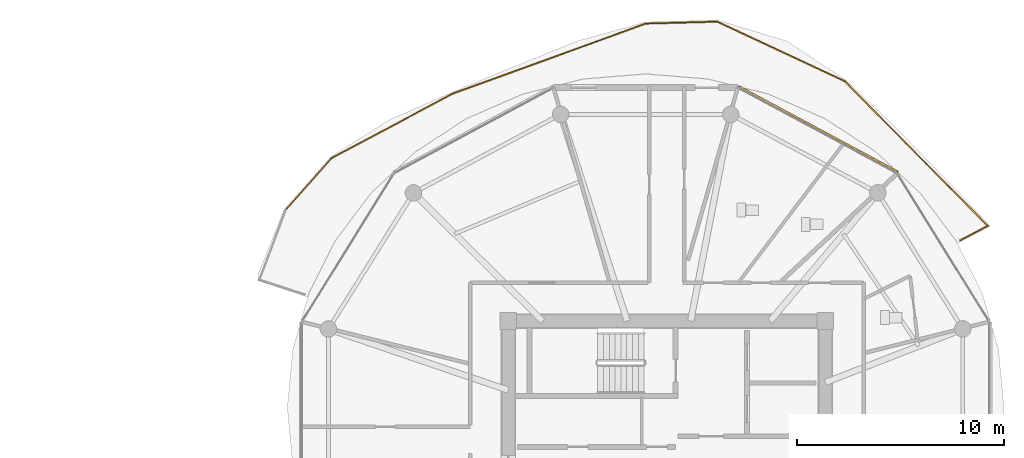
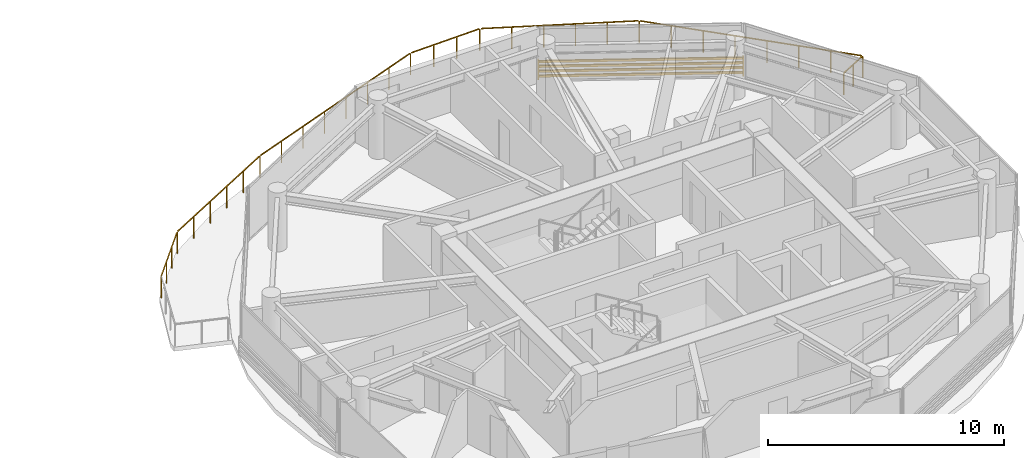
# One storey, part 22 of 23: 1 railing, 1 shading device.
"""IFC4 building model written with IfcOpenShell, lengths in metres."""

from ifc_helpers import new_model, si_unit, direction, frame, origin, origin_2d, place, context, subcontext, project, spatial, rectangle, extrude, source, transform, mapped, material, type_object, type_shapes, element, save


model = new_model("IFC4")

# Units and contexts
model_context = context("Model", 3, precision=1e-05, world=origin(), true_north=direction((0.0, 1.0)))
body_context = subcontext(model_context, "Body", "Model", "MODEL_VIEW")
ifc_project = project(units=[si_unit("LENGTHUNIT", "METRE"), si_unit("AREAUNIT", "SQUARE_METRE"), si_unit("VOLUMEUNIT", "CUBIC_METRE"), si_unit("PLANEANGLEUNIT", "RADIAN"), si_unit("MASSUNIT", "GRAM", prefix="KILO")], contexts=[model_context])

# Site, building, storey
site_placement = place(None, origin())
site = spatial("IfcSite", under=ifc_project, at=site_placement, CompositionType="ELEMENT")
building_placement = place(site_placement, origin())
building = spatial("IfcBuilding", under=site, at=building_placement, Name="Norrkilde Senior Care Towers", CompositionType="ELEMENT")
storey_placement = place(building_placement, frame((0.0, 0.0, 177.0)))
storey = spatial("IfcBuildingStorey", under=building, at=storey_placement, Name="L55", CompositionType="ELEMENT", Elevation=177.0)

# Railing
ifc_material_1 = material(Name="Anodised Aluminium", Category="aluminium")
railing_type = type_object("IfcRailingType", Name="Balcony Swirl Ribbon Guardrail 1150", PredefinedType="GUARDRAIL", material=ifc_material_1)
railing_placement = place(storey_placement, frame((9.597412109375, 11.3115234375, 0.0)))
element("IfcRailing", 1, at=railing_placement, inside=storey, type_object=railing_type, Name="L55 Perimeter Safety Guard 01", PredefinedType="GUARDRAIL", context=body_context, shape_type="SweptSolid", body=[
    extrude(rectangle(XDim=0.048095703125, YDim=0.048095703125, at=origin_2d()), frame((0.0, 0.0, 1.1259765625), z_axis=(0.664372872064, 0.747401289044, 0.0), x_axis=(-0.747401289044, 0.664372872064, 0.0)), (0.0, 0.0, 1.0), 3.314208984375),
    extrude(rectangle(XDim=0.048095703125, YDim=0.048095703125, at=origin_2d()), frame((2.26513671875, 2.52685546875, 1.1259765625), z_axis=(0.882928369987, 0.469507713964, 0.0), x_axis=(-0.469507713964, 0.882928369987, 0.0)), (0.0, 0.0, 1.0), 6.53466796875),
    extrude(rectangle(XDim=0.048095703125, YDim=0.048095703125, at=origin_2d()), frame((8.109130859375, 5.6279296875, 1.1259765625), z_axis=(0.939990996675, 0.341199247025, 0.0), x_axis=(-0.341199247025, 0.939990996675, 0.0)), (0.0, 0.0, 1.0), 9.83203125),
    extrude(rectangle(XDim=0.048095703125, YDim=0.048095703125, at=origin_2d()), frame((17.430419921875, 8.99755859375, 1.1259765625), z_axis=(0.999640321751, 0.026818410274, 0.0), x_axis=(-0.026818410274, 0.999640321751, 0.0)), (0.0, 0.0, 1.0), 3.368408203125),
    extrude(rectangle(XDim=0.048095703125, YDim=0.048095703125, at=origin_2d()), frame((20.875732421875, 9.07177734375, 1.1259765625), z_axis=(0.905859217676, -0.423578892003, 0.0), x_axis=(0.423578892003, 0.905859217676, 0.0)), (0.0, 0.0, 1.0), 6.70166015625),
    extrude(rectangle(XDim=0.048095703125, YDim=0.048095703125, at=origin_2d()), frame((27.01220703125, 6.186767578125, 1.1259765625), z_axis=(0.703154710407, -0.711036885986, 0.0), x_axis=(0.711036885986, 0.703154710407, 0.0)), (0.0, 0.0, 1.0), 9.73681640625),
    extrude(rectangle(XDim=0.048095703125, YDim=0.048095703125, at=origin_2d()), frame((33.851318359375, -0.78466796875, 1.1259765625), z_axis=(-0.885114705469, -0.465372923753, 0.0), x_axis=(0.465372923753, -0.885114705469, 0.0)), (0.0, 0.0, 1.0), 1.468017578125),
    extrude(rectangle(XDim=0.0419921875, YDim=0.0419921875, at=origin_2d()), origin(), (0.0, 0.0, 1.0), 1.099853515625),
    extrude(rectangle(XDim=0.0419921875, YDim=0.0419921875, at=origin_2d()), frame((0.742919921875, 0.8359375, 0.0)), (0.0, 0.0, 1.0), 1.099853515625),
    extrude(rectangle(XDim=0.0419921875, YDim=0.0419921875, at=origin_2d()), frame((1.486083984375, 1.671630859375, 0.0)), (0.0, 0.0, 1.0), 1.099853515625),
    extrude(rectangle(XDim=0.0419921875, YDim=0.0419921875, at=origin_2d()), frame((2.22900390625, 2.507568359375, 0.0)), (0.0, 0.0, 1.0), 1.099853515625),
    extrude(rectangle(XDim=0.0419921875, YDim=0.0419921875, at=origin_2d()), frame((3.3974609375, 3.12890625, 0.0)), (0.0, 0.0, 1.0), 1.099853515625),
    extrude(rectangle(XDim=0.0419921875, YDim=0.0419921875, at=origin_2d()), frame((4.565673828125, 3.750244140625, 0.0)), (0.0, 0.0, 1.0), 1.099853515625),
    extrude(rectangle(XDim=0.0419921875, YDim=0.0419921875, at=origin_2d()), frame((5.734130859375, 4.371337890625, 0.0)), (0.0, 0.0, 1.0), 1.099853515625),
    extrude(rectangle(XDim=0.0419921875, YDim=0.0419921875, at=origin_2d()), frame((6.90234375, 4.99267578125, 0.0)), (0.0, 0.0, 1.0), 1.099853515625),
    extrude(rectangle(XDim=0.0419921875, YDim=0.0419921875, at=origin_2d()), frame((8.07080078125, 5.614013671875, 0.0)), (0.0, 0.0, 1.0), 1.099853515625),
    extrude(rectangle(XDim=0.0419921875, YDim=0.0419921875, at=origin_2d()), frame((9.402099609375, 6.09716796875, 0.0)), (0.0, 0.0, 1.0), 1.099853515625),
    extrude(rectangle(XDim=0.0419921875, YDim=0.0419921875, at=origin_2d()), frame((10.7333984375, 6.58056640625, 0.0)), (0.0, 0.0, 1.0), 1.099853515625),
    extrude(rectangle(XDim=0.0419921875, YDim=0.0419921875, at=origin_2d()), frame((12.064697265625, 7.063720703125, 0.0)), (0.0, 0.0, 1.0), 1.099853515625),
    extrude(rectangle(XDim=0.0419921875, YDim=0.0419921875, at=origin_2d()), frame((13.395751953125, 7.546875, 0.0)), (0.0, 0.0, 1.0), 1.099853515625),
    extrude(rectangle(XDim=0.0419921875, YDim=0.0419921875, at=origin_2d()), frame((14.72705078125, 8.030029296875, 0.0)), (0.0, 0.0, 1.0), 1.099853515625),
    extrude(rectangle(XDim=0.0419921875, YDim=0.0419921875, at=origin_2d()), frame((16.058349609375, 8.513427734375, 0.0)), (0.0, 0.0, 1.0), 1.099853515625),
    extrude(rectangle(XDim=0.0419921875, YDim=0.0419921875, at=origin_2d()), frame((17.3896484375, 8.99658203125, 0.0)), (0.0, 0.0, 1.0), 1.099853515625),
    extrude(rectangle(XDim=0.0419921875, YDim=0.0419921875, at=origin_2d()), frame((18.539306640625, 9.02734375, 0.0)), (0.0, 0.0, 1.0), 1.099853515625),
    extrude(rectangle(XDim=0.0419921875, YDim=0.0419921875, at=origin_2d()), frame((19.68896484375, 9.058349609375, 0.0)), (0.0, 0.0, 1.0), 1.099853515625),
    extrude(rectangle(XDim=0.0419921875, YDim=0.0419921875, at=origin_2d()), frame((20.838623046875, 9.089111328125, 0.0)), (0.0, 0.0, 1.0), 1.099853515625),
    extrude(rectangle(XDim=0.0419921875, YDim=0.0419921875, at=origin_2d()), frame((22.067626953125, 8.514404296875, 0.0)), (0.0, 0.0, 1.0), 1.099853515625),
    extrude(rectangle(XDim=0.0419921875, YDim=0.0419921875, at=origin_2d()), frame((23.296630859375, 7.939697265625, 0.0)), (0.0, 0.0, 1.0), 1.099853515625),
    extrude(rectangle(XDim=0.0419921875, YDim=0.0419921875, at=origin_2d()), frame((24.525390625, 7.365234375, 0.0)), (0.0, 0.0, 1.0), 1.099853515625),
    extrude(rectangle(XDim=0.0419921875, YDim=0.0419921875, at=origin_2d()), frame((25.75439453125, 6.79052734375, 0.0)), (0.0, 0.0, 1.0), 1.099853515625),
    extrude(rectangle(XDim=0.0419921875, YDim=0.0419921875, at=origin_2d()), frame((26.9833984375, 6.2158203125, 0.0)), (0.0, 0.0, 1.0), 1.099853515625),
    extrude(rectangle(XDim=0.0419921875, YDim=0.0419921875, at=origin_2d()), frame((27.9697265625, 5.218505859375, 0.0)), (0.0, 0.0, 1.0), 1.099853515625),
    extrude(rectangle(XDim=0.0419921875, YDim=0.0419921875, at=origin_2d()), frame((28.9560546875, 4.22119140625, 0.0)), (0.0, 0.0, 1.0), 1.099853515625),
    extrude(rectangle(XDim=0.0419921875, YDim=0.0419921875, at=origin_2d()), frame((29.9423828125, 3.223876953125, 0.0)), (0.0, 0.0, 1.0), 1.099853515625),
    extrude(rectangle(XDim=0.0419921875, YDim=0.0419921875, at=origin_2d()), frame((30.928466796875, 2.226318359375, 0.0)), (0.0, 0.0, 1.0), 1.099853515625),
    extrude(rectangle(XDim=0.0419921875, YDim=0.0419921875, at=origin_2d()), frame((31.914794921875, 1.22900390625, 0.0)), (0.0, 0.0, 1.0), 1.099853515625),
    extrude(rectangle(XDim=0.0419921875, YDim=0.0419921875, at=origin_2d()), frame((32.901123046875, 0.231689453125, 0.0)), (0.0, 0.0, 1.0), 1.099853515625),
    extrude(rectangle(XDim=0.0419921875, YDim=0.0419921875, at=origin_2d()), frame((33.887451171875, -0.765625, 0.0)), (0.0, 0.0, 1.0), 1.099853515625),
    extrude(rectangle(XDim=0.0419921875, YDim=0.0419921875, at=origin_2d()), frame((33.2197265625, -1.11669921875, 0.0)), (0.0, 0.0, 1.0), 1.099853515625),
    extrude(rectangle(XDim=0.0419921875, YDim=0.0419921875, at=origin_2d()), frame((32.552001953125, -1.4677734375, 0.0)), (0.0, 0.0, 1.0), 1.099853515625),
])

# Shading device
ifc_material_2 = material(Name="Architectural Terracotta", Category="masonry")
shading_device_type = type_object("IfcShadingDeviceType", Name="Horizontal Terracotta Baguette Rack", PredefinedType="USERDEFINED", material=ifc_material_2)
shared_shape = source(origin(), body_context, "Body", "SweptSolid", [
    extrude(rectangle(XDim=0.070068359375, YDim=0.110107421875, at=origin_2d()), frame((0.0, 0.090087890625, 0.125), z_axis=(1.0, 0.0, 0.0), x_axis=(0.0, 1.0, 0.0)), (0.0, 0.0, 1.0), 8.74169921875),
    extrude(rectangle(XDim=0.070068359375, YDim=0.110107421875, at=origin_2d()), frame((0.0, 0.090087890625, 0.375), z_axis=(1.0, 0.0, 0.0), x_axis=(0.0, 1.0, 0.0)), (0.0, 0.0, 1.0), 8.74169921875),
    extrude(rectangle(XDim=0.070068359375, YDim=0.110107421875, at=origin_2d()), frame((0.0, 0.090087890625, 0.625), z_axis=(1.0, 0.0, 0.0), x_axis=(0.0, 1.0, 0.0)), (0.0, 0.0, 1.0), 8.74169921875),
    extrude(rectangle(XDim=0.070068359375, YDim=0.110107421875, at=origin_2d()), frame((0.0, 0.090087890625, 0.875), z_axis=(1.0, 0.0, 0.0), x_axis=(0.0, 1.0, 0.0)), (0.0, 0.0, 1.0), 8.74169921875),
    extrude(rectangle(XDim=0.050048828125, YDim=0.1552734375, at=origin_2d()), frame((0.02490234375, 0.047607421875, 0.0)), (0.0, 0.0, 1.0), 1.0),
    extrude(rectangle(XDim=0.050048828125, YDim=0.1552734375, at=origin_2d()), frame((8.716796875, 0.047607421875, 0.0)), (0.0, 0.0, 1.0), 1.0),
])
type_shapes(shading_device_type, [shared_shape])
shading_device_placement = place(storey_placement, frame((31.421630859375, 17.2109375, 0.080078125), z_axis=(0.0, 0.0, 1.0), x_axis=(0.880997598168, -0.47313299447, 0.0)))
element("IfcShadingDevice", 2, at=shading_device_placement, inside=storey, type_object=shading_device_type, Name="L55 Drum E Terracotta Baguette Screen 01", ObjectType="BAGUETTE", PredefinedType="USERDEFINED", context=body_context, shape_type="MappedRepresentation", body=[
    mapped(shared_shape, transform((0.0, 0.0, 0.0), x_axis=(1.0, 0.0, 0.0), y_axis=(0.0, 1.0, 0.0), z_axis=(0.0, 0.0, 1.0), scale=1.0)),
])

save(model, "model.ifc")
